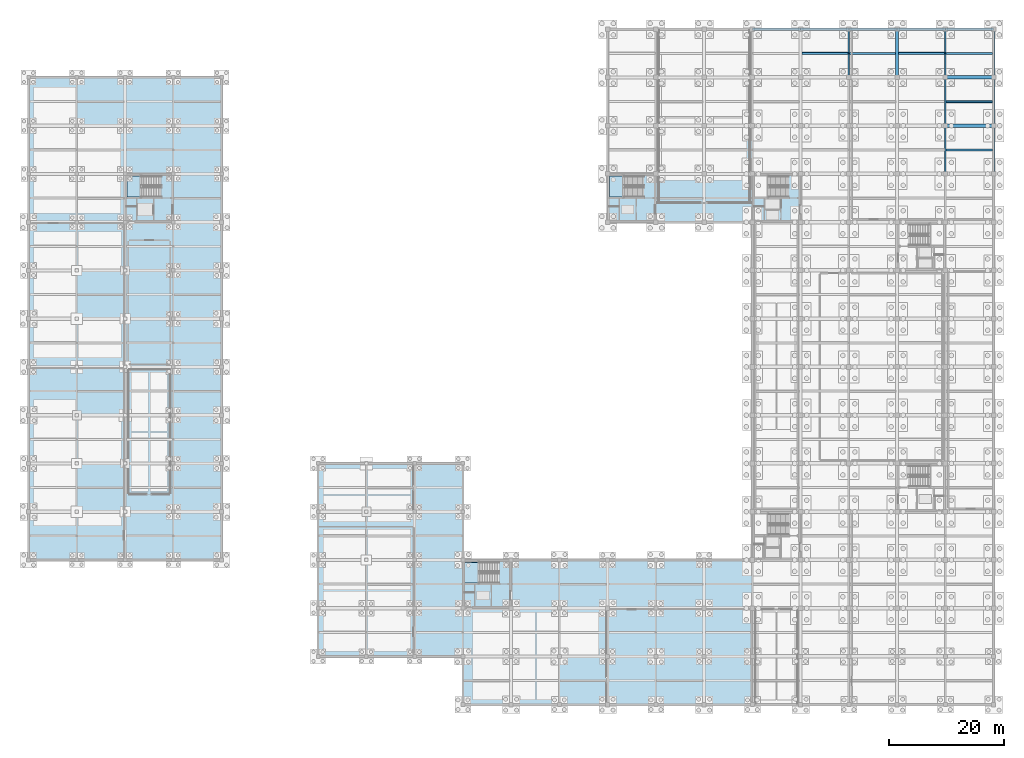
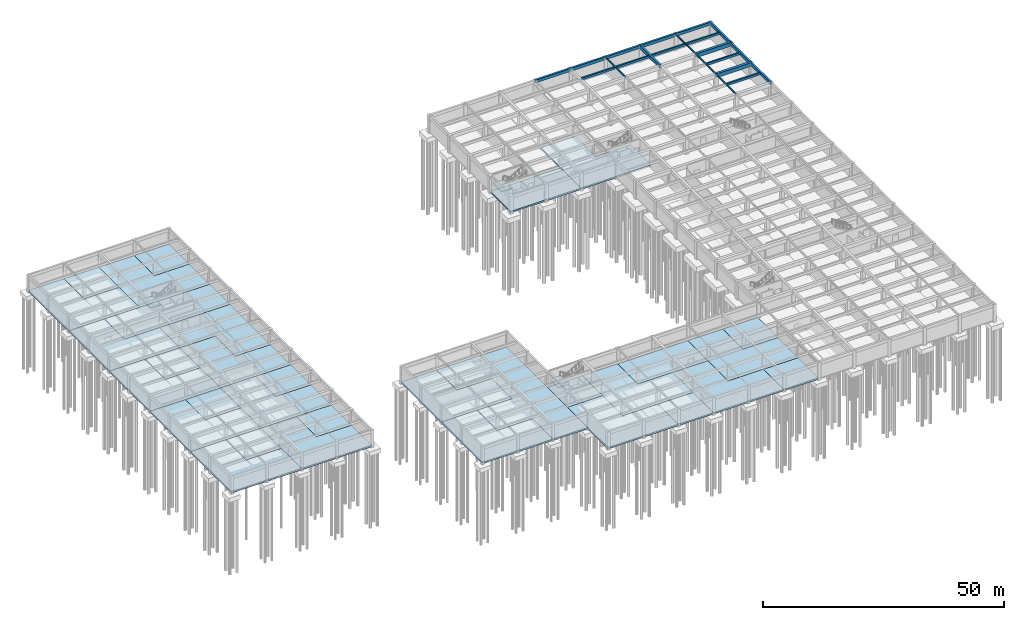
# One storey, part 14 of 33: 35 slabs, 21 beams, 3 elements without a shape of their own.
"""IFC4 building model written with IfcOpenShell, lengths in metres."""

from ifc_helpers import new_model, si_unit, direction, frame, origin, origin_2d, place, context, subcontext, project, spatial, polyline, rectangle, i_section, outline, extrude, material, layer, layer_set, material_profile, profile_set, type_object, element, aggregate, save


model = new_model("IFC4")

# Units and contexts
model_context = context("Model", 3, precision=1e-05, world=origin(), true_north=direction((0.0, 1.0)))
body_context = subcontext(model_context, "Body", "Model", "MODEL_VIEW")
ifc_project = project(units=[si_unit("LENGTHUNIT", "METRE"), si_unit("AREAUNIT", "SQUARE_METRE"), si_unit("VOLUMEUNIT", "CUBIC_METRE"), si_unit("PLANEANGLEUNIT", "RADIAN"), si_unit("MASSUNIT", "GRAM", prefix="KILO")], contexts=[model_context])

# Site, building, storey
site_placement = place(None, origin())
site = spatial("IfcSite", under=ifc_project, at=site_placement, CompositionType="ELEMENT")
building_placement = place(site_placement, origin())
building = spatial("IfcBuilding", under=site, at=building_placement, Name="Kveldsbrygga Polytechnic", CompositionType="ELEMENT")
storey_placement = place(building_placement, frame((0.0, 0.0, -4.419921875)))
storey = spatial("IfcBuildingStorey", under=building, at=storey_placement, Name="B1", CompositionType="ELEMENT", Elevation=-4.419921875)

# Beams
ifc_material_1 = material(Name="Concrete C35/45", Category="concrete")
ifc_material_profile_1 = material_profile(ifc_material_1, rectangle(XDim=0.449951171875, YDim=0.75, at=origin_2d()), Name="RC 450x750")
ifc_profile_set_1 = profile_set([ifc_material_profile_1], Name="Concrete C35/45")
beam_type_1 = type_object("IfcBeamType", Name="BM-RC-450x750", PredefinedType="BEAM", material=ifc_profile_set_1)
beam_1_placement = place(storey_placement, frame((168.0, 92.39990234375, 3.744873046875), z_axis=(0.0, 1.0, 0.0), x_axis=(-1.0, 0.0, 0.0)))
element("IfcBeam", 1, at=beam_1_placement, inside=storey, type_object=beam_type_1, Name="Primary Beam BMY-B1-20-11to12", PredefinedType="BEAM", context=body_context, shape_type="SweptSolid", body=[
    extrude(rectangle(XDim=0.449951171875, YDim=0.75, at=origin_2d()), origin(), (0.0, 0.0, 1.0), 8.400146484375),
])
beam_2_placement = place(storey_placement, frame((168.0, 100.800048828125, 3.744873046875), z_axis=(0.0, 1.0, 0.0), x_axis=(-1.0, 0.0, 0.0)))
element("IfcBeam", 2, at=beam_2_placement, inside=storey, type_object=beam_type_1, Name="Primary Beam BMY-B1-20-12to13", PredefinedType="BEAM", context=body_context, shape_type="SweptSolid", body=[
    extrude(rectangle(XDim=0.449951171875, YDim=0.75, at=origin_2d()), origin(), (0.0, 0.0, 1.0), 8.39990234375),
])
beam_3_placement = place(storey_placement, frame((168.0, 109.199951171875, 3.744873046875), z_axis=(0.0, 1.0, 0.0), x_axis=(-1.0, 0.0, 0.0)))
element("IfcBeam", 3, at=beam_3_placement, inside=storey, type_object=beam_type_1, Name="Primary Beam BMY-B1-20-13to14", PredefinedType="BEAM", context=body_context, shape_type="SweptSolid", body=[
    extrude(rectangle(XDim=0.449951171875, YDim=0.75, at=origin_2d()), origin(), (0.0, 0.0, 1.0), 8.400146484375),
])
ifc_material_profile_2 = material_profile(ifc_material_1, rectangle(XDim=0.4599609375, YDim=0.739990234375, at=origin_2d()), Name="RC 460x740")
ifc_profile_set_2 = profile_set([ifc_material_profile_2], Name="Concrete C35/45")
beam_type_2 = type_object("IfcBeamType", Name="BM-RC-460x740", PredefinedType="BEAM", material=ifc_profile_set_2)
beam_4_placement = place(storey_placement, frame((126.0, 117.60009765625, 3.75), z_axis=(1.0, 0.0, 0.0), x_axis=(0.0, 1.0, 0.0)))
element("IfcBeam", 4, at=beam_4_placement, inside=storey, type_object=beam_type_2, Name="Primary Beam BMX-B1-15to16-14", PredefinedType="BEAM", context=body_context, shape_type="SweptSolid", body=[
    extrude(rectangle(XDim=0.4599609375, YDim=0.739990234375, at=origin_2d()), origin(), (0.0, 0.0, 1.0), 8.39990234375),
])
beam_5_placement = place(storey_placement, frame((134.39990234375, 117.60009765625, 3.75), z_axis=(1.0, 0.0, 0.0), x_axis=(0.0, 1.0, 0.0)))
element("IfcBeam", 5, at=beam_5_placement, inside=storey, type_object=beam_type_2, Name="Primary Beam BMX-B1-16to17-14", PredefinedType="BEAM", context=body_context, shape_type="SweptSolid", body=[
    extrude(rectangle(XDim=0.4599609375, YDim=0.739990234375, at=origin_2d()), origin(), (0.0, 0.0, 1.0), 8.400146484375),
])
beam_6_placement = place(storey_placement, frame((142.800048828125, 117.60009765625, 3.75), z_axis=(1.0, 0.0, 0.0), x_axis=(0.0, 1.0, 0.0)))
element("IfcBeam", 6, at=beam_6_placement, inside=storey, type_object=beam_type_2, Name="Primary Beam BMX-B1-17to18-14", PredefinedType="BEAM", context=body_context, shape_type="SweptSolid", body=[
    extrude(rectangle(XDim=0.4599609375, YDim=0.739990234375, at=origin_2d()), origin(), (0.0, 0.0, 1.0), 8.39990234375),
])
beam_7_placement = place(storey_placement, frame((151.199951171875, 117.60009765625, 3.75), z_axis=(1.0, 0.0, 0.0), x_axis=(0.0, 1.0, 0.0)))
element("IfcBeam", 7, at=beam_7_placement, inside=storey, type_object=beam_type_2, Name="Primary Beam BMX-B1-18to19-14", PredefinedType="BEAM", context=body_context, shape_type="SweptSolid", body=[
    extrude(rectangle(XDim=0.4599609375, YDim=0.739990234375, at=origin_2d()), origin(), (0.0, 0.0, 1.0), 8.400146484375),
])
beam_8_placement = place(storey_placement, frame((159.60009765625, 117.60009765625, 3.75), z_axis=(1.0, 0.0, 0.0), x_axis=(0.0, 1.0, 0.0)))
element("IfcBeam", 8, at=beam_8_placement, inside=storey, type_object=beam_type_2, Name="Primary Beam BMX-B1-19to20-14", PredefinedType="BEAM", context=body_context, shape_type="SweptSolid", body=[
    extrude(rectangle(XDim=0.4599609375, YDim=0.739990234375, at=origin_2d()), origin(), (0.0, 0.0, 1.0), 8.39990234375),
])
ifc_material_profile_3 = material_profile(ifc_material_1, rectangle(XDim=0.5, YDim=0.800048828125, at=origin_2d()), Name="RC 500x800")
ifc_profile_set_3 = profile_set([ifc_material_profile_3], Name="Concrete C35/45")
beam_type_3 = type_object("IfcBeamType", Name="BM-RC-500x800", PredefinedType="BEAM", material=ifc_profile_set_3)
beam_9_placement = place(storey_placement, frame((151.199951171875, 109.199951171875, 3.719970703125), z_axis=(0.0, 1.0, 0.0), x_axis=(-1.0, 0.0, 0.0)))
element("IfcBeam", 9, at=beam_9_placement, inside=storey, type_object=beam_type_3, Name="Primary Beam BMY-B1-18-13to14", PredefinedType="BEAM", context=body_context, shape_type="SweptSolid", body=[
    extrude(rectangle(XDim=0.5, YDim=0.800048828125, at=origin_2d()), origin(), (0.0, 0.0, 1.0), 8.400146484375),
])
ifc_material_2 = material(Name="Concrete C45/55", Category="concrete")
ifc_material_profile_4 = material_profile(ifc_material_2, rectangle(XDim=0.60009765625, YDim=0.949951171875, at=origin_2d()), Name="RC 600x950")
ifc_profile_set_4 = profile_set([ifc_material_profile_4], Name="Concrete C45/55")
beam_type_4 = type_object("IfcBeamType", Name="BM-RC-600x950", PredefinedType="BEAM", material=ifc_profile_set_4)
for number, where, z_axis, x_axis, name in (
    (10, (159.60009765625, 100.800048828125, 3.64501953125), (1.0, 0.0, 0.0), (0.0, 1.0, 0.0), "Primary Beam BMX-B1-19to20-12"),
    (11, (159.60009765625, 109.199951171875, 3.64501953125), (1.0, 0.0, 0.0), (0.0, 1.0, 0.0), "Primary Beam BMX-B1-19to20-13"),
):
    element("IfcBeam", number, at=place(storey_placement, frame(where, z_axis=z_axis, x_axis=x_axis)), inside=storey, type_object=beam_type_4, Name=name, PredefinedType="BEAM", context=body_context, shape_type="SweptSolid", body=[
        extrude(rectangle(XDim=0.60009765625, YDim=0.949951171875, at=origin_2d()), origin(), (0.0, 0.0, 1.0), 8.39990234375),
    ])
ifc_material_3 = material(Name="Steel S355", Category="steel")
ifc_material_profile_5 = material_profile(ifc_material_3, i_section(OverallWidth=0.260009765625, OverallDepth=0.260009765625, WebThickness=0.010009765625, FlangeThickness=0.017578125, FilletRadius=0.02392578125, at=origin_2d()), Name="HEB 260")
ifc_profile_set_5 = profile_set([ifc_material_profile_5], Name="Steel S355")
beam_type_5 = type_object("IfcBeamType", Name="BM-STL-HEB260", PredefinedType="BEAM", material=ifc_profile_set_5)
for number, where, z_axis, x_axis, name in (
    (12, (142.800048828125, 109.199951171875, 3.989990234375), (0.0, 1.0, 0.0), (-1.0, 0.0, 0.0), "Primary Beam BMY-B1-17-13to14"),
    (13, (159.60009765625, 92.39990234375, 3.989990234375), (0.0, 1.0, 0.0), (-1.0, 0.0, 0.0), "Primary Beam BMY-B1-19-11to12"),
):
    element("IfcBeam", number, at=place(storey_placement, frame(where, z_axis=z_axis, x_axis=x_axis)), inside=storey, type_object=beam_type_5, Name=name, PredefinedType="BEAM", context=body_context, shape_type="SweptSolid", body=[
        extrude(i_section(OverallWidth=0.260009765625, OverallDepth=0.260009765625, WebThickness=0.010009765625, FlangeThickness=0.017578125, FilletRadius=0.02392578125, at=origin_2d()), origin(), (0.0, 0.0, 1.0), 8.400146484375),
    ])
beam_10_placement = place(storey_placement, frame((159.60009765625, 100.800048828125, 3.989990234375), z_axis=(0.0, 1.0, 0.0), x_axis=(-1.0, 0.0, 0.0)))
element("IfcBeam", 14, at=beam_10_placement, inside=storey, type_object=beam_type_5, Name="Primary Beam BMY-B1-19-12to13", PredefinedType="BEAM", context=body_context, shape_type="SweptSolid", body=[
    extrude(i_section(OverallWidth=0.260009765625, OverallDepth=0.260009765625, WebThickness=0.010009765625, FlangeThickness=0.017578125, FilletRadius=0.02392578125, at=origin_2d()), origin(), (0.0, 0.0, 1.0), 8.39990234375),
])
beam_11_placement = place(storey_placement, frame((159.60009765625, 109.199951171875, 3.989990234375), z_axis=(0.0, 1.0, 0.0), x_axis=(-1.0, 0.0, 0.0)))
element("IfcBeam", 15, at=beam_11_placement, inside=storey, type_object=beam_type_5, Name="Primary Beam BMY-B1-19-13to14", PredefinedType="BEAM", context=body_context, shape_type="SweptSolid", body=[
    extrude(i_section(OverallWidth=0.260009765625, OverallDepth=0.260009765625, WebThickness=0.010009765625, FlangeThickness=0.017578125, FilletRadius=0.02392578125, at=origin_2d()), origin(), (0.0, 0.0, 1.0), 8.400146484375),
])
ifc_material_profile_6 = material_profile(ifc_material_1, rectangle(XDim=0.340087890625, YDim=0.56005859375, at=origin_2d()), Name="RC 340x560")
ifc_profile_set_6 = profile_set([ifc_material_profile_6], Name="Concrete C35/45")
beam_type_6 = type_object("IfcBeamType", Name="JST-RC-340x560", PredefinedType="JOIST", material=ifc_profile_set_6)
for number, where, z_axis, x_axis, name in (
    (16, (134.64990234375, 113.39990234375, 3.83984375), (1.0, 0.0, 0.0), (0.0, 1.0, 0.0), "Secondary Joist JST-B1-16-13"),
    (17, (151.449951171875, 113.39990234375, 3.83984375), (1.0, 0.0, 0.0), (0.0, 1.0, 0.0), "Secondary Joist JST-B1-18-13"),
):
    element("IfcBeam", number, at=place(storey_placement, frame(where, z_axis=z_axis, x_axis=x_axis)), inside=storey, type_object=beam_type_6, Name=name, PredefinedType="JOIST", context=body_context, shape_type="SweptSolid", body=[
        extrude(rectangle(XDim=0.340087890625, YDim=0.56005859375, at=origin_2d()), origin(), (0.0, 0.0, 1.0), 8.02001953125),
    ])
beam_12_placement = place(storey_placement, frame((159.72998046875, 105.0, 3.83984375), z_axis=(1.0, 0.0, 0.0), x_axis=(0.0, 1.0, 0.0)))
element("IfcBeam", 18, at=beam_12_placement, inside=storey, type_object=beam_type_6, Name="Secondary Joist JST-B1-19-12", PredefinedType="JOIST", context=body_context, shape_type="SweptSolid", body=[
    extrude(rectangle(XDim=0.340087890625, YDim=0.56005859375, at=origin_2d()), origin(), (0.0, 0.0, 1.0), 8.044921875),
])
ifc_material_profile_7 = material_profile(ifc_material_1, rectangle(XDim=0.35009765625, YDim=0.550048828125, at=origin_2d()), Name="RC 350x550")
ifc_profile_set_7 = profile_set([ifc_material_profile_7], Name="Concrete C35/45")
beam_type_7 = type_object("IfcBeamType", Name="JST-RC-350x550", PredefinedType="JOIST", material=ifc_profile_set_7)
beam_13_placement = place(storey_placement, frame((142.929931640625, 113.39990234375, 3.844970703125), z_axis=(1.0, 0.0, 0.0), x_axis=(0.0, 1.0, 0.0)))
element("IfcBeam", 19, at=beam_13_placement, inside=storey, type_object=beam_type_7, Name="Secondary Joist JST-B1-17-13", PredefinedType="JOIST", context=body_context, shape_type="SweptSolid", body=[
    extrude(rectangle(XDim=0.35009765625, YDim=0.550048828125, at=origin_2d()), origin(), (0.0, 0.0, 1.0), 8.02001953125),
])
for number, where, z_axis, x_axis, name in (
    (20, (159.72998046875, 96.60009765625, 3.844970703125), (1.0, 0.0, 0.0), (0.0, 1.0, 0.0), "Secondary Joist JST-B1-19-11"),
    (21, (159.72998046875, 113.39990234375, 3.844970703125), (1.0, 0.0, 0.0), (0.0, 1.0, 0.0), "Secondary Joist JST-B1-19-13"),
):
    element("IfcBeam", number, at=place(storey_placement, frame(where, z_axis=z_axis, x_axis=x_axis)), inside=storey, type_object=beam_type_7, Name=name, PredefinedType="JOIST", context=body_context, shape_type="SweptSolid", body=[
        extrude(rectangle(XDim=0.35009765625, YDim=0.550048828125, at=origin_2d()), origin(), (0.0, 0.0, 1.0), 8.044921875),
    ])

# Slabs
ifc_layer_1 = layer(ifc_material_1, 0.39990234375)
ifc_layer_set_1 = layer_set([ifc_layer_1], Name="Concrete C35/45")
slab_type_1 = type_object("IfcSlabType", Name="SLB-BASE-400", PredefinedType="BASESLAB", material=ifc_layer_set_1)
slab_1_placement = place(storey_placement, frame((0.0, 0.0, -0.400146484375)))
element("IfcSlab", 22, at=slab_1_placement, inside=storey, type_object=slab_type_1, Name="Slab SLB-B1-V1-L01-1", PredefinedType="BASESLAB", context=body_context, shape_type="SweptSolid", body=[
    extrude(outline(polyline([(0.0, 25.199951171875), (0.0, 33.60009765625), (0.0, 42.0), (8.39990234375, 42.0), (8.39990234375, 33.60009765625), (16.800048828125, 33.60009765625), (16.800048828125, 25.199951171875), (8.39990234375, 25.199951171875), (0.0, 25.199951171875)])), origin(), (0.0, 0.0, 1.0), 0.400146484375),
])
slab_2_placement = place(storey_placement, frame((0.0, 0.0, -0.400146484375)))
element("IfcSlab", 23, at=slab_2_placement, inside=storey, type_object=slab_type_1, Name="Slab SLB-B1-V1-L02-1", PredefinedType="BASESLAB", context=body_context, shape_type="SweptSolid", body=[
    extrude(outline(polyline([(0.0, 42.0), (0.0, 50.39990234375), (0.0, 58.800048828125), (8.39990234375, 58.800048828125), (8.39990234375, 50.39990234375), (16.800048828125, 50.39990234375), (16.800048828125, 42.0), (8.39990234375, 42.0), (0.0, 42.0)])), origin(), (0.0, 0.0, 1.0), 0.400146484375),
])
slab_3_placement = place(storey_placement, frame((0.0, 0.0, -0.400146484375)))
element("IfcSlab", 24, at=slab_3_placement, inside=storey, type_object=slab_type_1, Name="Slab SLB-B1-V1-L03-1", PredefinedType="BASESLAB", context=body_context, shape_type="SweptSolid", body=[
    extrude(outline(polyline([(0.0, 58.800048828125), (0.0, 67.199951171875), (0.0, 75.60009765625), (8.39990234375, 75.60009765625), (8.39990234375, 67.199951171875), (16.800048828125, 67.199951171875), (16.800048828125, 58.800048828125), (8.39990234375, 58.800048828125), (0.0, 58.800048828125)])), origin(), (0.0, 0.0, 1.0), 0.400146484375),
])
slab_4_placement = place(storey_placement, frame((0.0, 0.0, -0.400146484375)))
element("IfcSlab", 25, at=slab_4_placement, inside=storey, type_object=slab_type_1, Name="Slab SLB-B1-V1-L04-1", PredefinedType="BASESLAB", context=body_context, shape_type="SweptSolid", body=[
    extrude(outline(polyline([(0.0, 75.60009765625), (0.0, 84.0), (0.0, 92.39990234375), (8.39990234375, 92.39990234375), (8.39990234375, 84.0), (16.800048828125, 84.0), (16.800048828125, 75.60009765625), (8.39990234375, 75.60009765625), (0.0, 75.60009765625)])), origin(), (0.0, 0.0, 1.0), 0.400146484375),
])
slab_5_placement = place(storey_placement, frame((0.0, 0.0, -0.400146484375)))
element("IfcSlab", 26, at=slab_5_placement, inside=storey, type_object=slab_type_1, Name="Slab SLB-B1-V1-L05-1", PredefinedType="BASESLAB", context=body_context, shape_type="SweptSolid", body=[
    extrude(outline(polyline([(0.0, 92.39990234375), (0.0, 100.800048828125), (0.0, 109.199951171875), (8.39990234375, 109.199951171875), (8.39990234375, 100.800048828125), (16.800048828125, 100.800048828125), (16.800048828125, 92.39990234375), (8.39990234375, 92.39990234375), (0.0, 92.39990234375)])), origin(), (0.0, 0.0, 1.0), 0.400146484375),
])
slab_6_placement = place(storey_placement, frame((0.0, 0.0, -0.400146484375)))
element("IfcSlab", 27, at=slab_6_placement, inside=storey, type_object=slab_type_1, Name="Slab SLB-B1-V1-L06-1", PredefinedType="BASESLAB", context=body_context, shape_type="SweptSolid", body=[
    extrude(outline(polyline([(16.800048828125, 25.199951171875), (16.800048828125, 33.60009765625), (16.800048828125, 42.0), (25.199951171875, 42.0), (25.199951171875, 33.60009765625), (33.60009765625, 33.60009765625), (33.60009765625, 25.199951171875), (25.199951171875, 25.199951171875), (16.800048828125, 25.199951171875)])), origin(), (0.0, 0.0, 1.0), 0.400146484375),
])
slab_7_placement = place(storey_placement, frame((0.0, 0.0, -0.400146484375)))
element("IfcSlab", 28, at=slab_7_placement, inside=storey, type_object=slab_type_1, Name="Slab SLB-B1-V1-L07-1", PredefinedType="BASESLAB", context=body_context, shape_type="SweptSolid", body=[
    extrude(outline(polyline([(16.800048828125, 42.0), (16.800048828125, 50.39990234375), (16.800048828125, 58.800048828125), (25.199951171875, 58.800048828125), (25.199951171875, 50.39990234375), (33.60009765625, 50.39990234375), (33.60009765625, 42.0), (25.199951171875, 42.0), (16.800048828125, 42.0)])), origin(), (0.0, 0.0, 1.0), 0.400146484375),
])
slab_8_placement = place(storey_placement, frame((0.0, 0.0, -0.400146484375)))
element("IfcSlab", 29, at=slab_8_placement, inside=storey, type_object=slab_type_1, Name="Slab SLB-B1-V1-L08-1", PredefinedType="BASESLAB", context=body_context, shape_type="SweptSolid", body=[
    extrude(outline(polyline([(16.800048828125, 58.800048828125), (16.800048828125, 67.199951171875), (16.800048828125, 75.60009765625), (25.199951171875, 75.60009765625), (25.199951171875, 67.199951171875), (33.60009765625, 67.199951171875), (33.60009765625, 58.800048828125), (25.199951171875, 58.800048828125), (16.800048828125, 58.800048828125)])), origin(), (0.0, 0.0, 1.0), 0.400146484375),
])
slab_9_placement = place(storey_placement, frame((0.0, 0.0, -0.400146484375)))
element("IfcSlab", 30, at=slab_9_placement, inside=storey, type_object=slab_type_1, Name="Slab SLB-B1-V1-L09-1", PredefinedType="BASESLAB", context=body_context, shape_type="SweptSolid", body=[
    extrude(outline(polyline([(16.800048828125, 92.39990234375), (16.800048828125, 100.800048828125), (16.800048828125, 109.199951171875), (25.199951171875, 109.199951171875), (25.199951171875, 100.800048828125), (33.60009765625, 100.800048828125), (33.60009765625, 92.39990234375), (25.199951171875, 92.39990234375), (16.800048828125, 92.39990234375)])), origin(), (0.0, 0.0, 1.0), 0.400146484375),
])
slab_10_placement = place(storey_placement, frame((0.0, 0.0, -0.400146484375)))
element("IfcSlab", 31, at=slab_10_placement, inside=storey, type_object=slab_type_1, Name="Slab SLB-B1-V1-Z1-1", PredefinedType="BASESLAB", context=body_context, shape_type="SweptSolid", body=[
    extrude(outline(polyline([(8.39990234375, 33.60009765625), (8.39990234375, 42.0), (16.800048828125, 42.0), (16.800048828125, 33.60009765625), (8.39990234375, 33.60009765625)])), origin(), (0.0, 0.0, 1.0), 0.400146484375),
])
slab_11_placement = place(storey_placement, frame((0.0, 0.0, -0.400146484375)))
element("IfcSlab", 32, at=slab_11_placement, inside=storey, type_object=slab_type_1, Name="Slab SLB-B1-V1-Z1-2", PredefinedType="BASESLAB", context=body_context, shape_type="SweptSolid", body=[
    extrude(outline(polyline([(25.199951171875, 33.60009765625), (25.199951171875, 42.0), (33.60009765625, 42.0), (33.60009765625, 33.60009765625), (25.199951171875, 33.60009765625)])), origin(), (0.0, 0.0, 1.0), 0.400146484375),
])
slab_12_placement = place(storey_placement, frame((0.0, 0.0, -0.400146484375)))
element("IfcSlab", 33, at=slab_12_placement, inside=storey, type_object=slab_type_1, Name="Slab SLB-B1-V1-Z4-1", PredefinedType="BASESLAB", context=body_context, shape_type="SweptSolid", body=[
    extrude(outline(polyline([(8.39990234375, 58.800048828125), (16.800048828125, 58.800048828125), (16.800048828125, 50.39990234375), (8.39990234375, 50.39990234375), (8.39990234375, 58.800048828125)])), origin(), (0.0, 0.0, 1.0), 0.400146484375),
])
slab_13_placement = place(storey_placement, frame((0.0, 0.0, -0.400146484375)))
element("IfcSlab", 34, at=slab_13_placement, inside=storey, type_object=slab_type_1, Name="Slab SLB-B1-V1-Z4-2", PredefinedType="BASESLAB", context=body_context, shape_type="SweptSolid", body=[
    extrude(outline(polyline([(33.60009765625, 58.800048828125), (33.60009765625, 50.39990234375), (25.199951171875, 50.39990234375), (25.199951171875, 58.800048828125), (33.60009765625, 58.800048828125)])), origin(), (0.0, 0.0, 1.0), 0.400146484375),
])
slab_14_placement = place(storey_placement, frame((0.0, 0.0, -0.400146484375)))
element("IfcSlab", 35, at=slab_14_placement, inside=storey, type_object=slab_type_1, Name="Slab SLB-B1-V1-Z4-3", PredefinedType="BASESLAB", context=body_context, shape_type="SweptSolid", body=[
    extrude(outline(polyline([(16.800048828125, 75.60009765625), (16.800048828125, 67.199951171875), (8.39990234375, 67.199951171875), (8.39990234375, 75.60009765625), (16.800048828125, 75.60009765625)])), origin(), (0.0, 0.0, 1.0), 0.400146484375),
])
slab_15_placement = place(storey_placement, frame((0.0, 0.0, -0.400146484375)))
element("IfcSlab", 36, at=slab_15_placement, inside=storey, type_object=slab_type_1, Name="Slab SLB-B1-V1-Z4-4", PredefinedType="BASESLAB", context=body_context, shape_type="SweptSolid", body=[
    extrude(outline(polyline([(25.199951171875, 67.199951171875), (25.199951171875, 75.60009765625), (16.800048828125, 75.60009765625), (16.800048828125, 84.0), (25.199951171875, 84.0), (33.60009765625, 84.0), (33.60009765625, 75.60009765625), (33.60009765625, 67.199951171875), (25.199951171875, 67.199951171875)])), origin(), (0.0, 0.0, 1.0), 0.400146484375),
])
slab_16_placement = place(storey_placement, frame((0.0, 0.0, -0.400146484375)))
element("IfcSlab", 37, at=slab_16_placement, inside=storey, type_object=slab_type_1, Name="Slab SLB-B1-V1-Z7-1", PredefinedType="BASESLAB", context=body_context, shape_type="SweptSolid", body=[
    extrude(outline(polyline([(8.39990234375, 92.39990234375), (16.800048828125, 92.39990234375), (25.199951171875, 92.39990234375), (33.60009765625, 92.39990234375), (33.60009765625, 84.0), (25.199951171875, 84.0), (16.800048828125, 84.0), (8.39990234375, 84.0), (8.39990234375, 92.39990234375)])), origin(), (0.0, 0.0, 1.0), 0.400146484375),
])
slab_17_placement = place(storey_placement, frame((0.0, 0.0, -0.400146484375)))
element("IfcSlab", 38, at=slab_17_placement, inside=storey, type_object=slab_type_1, Name="Slab SLB-B1-V1-Z7-2", PredefinedType="BASESLAB", context=body_context, shape_type="SweptSolid", body=[
    extrude(outline(polyline([(16.800048828125, 109.199951171875), (16.800048828125, 100.800048828125), (8.39990234375, 100.800048828125), (8.39990234375, 109.199951171875), (16.800048828125, 109.199951171875)])), origin(), (0.0, 0.0, 1.0), 0.400146484375),
])
slab_18_placement = place(storey_placement, frame((0.0, 0.0, -0.400146484375)))
element("IfcSlab", 39, at=slab_18_placement, inside=storey, type_object=slab_type_1, Name="Slab SLB-B1-V1-Z7-3", PredefinedType="BASESLAB", context=body_context, shape_type="SweptSolid", body=[
    extrude(outline(polyline([(33.60009765625, 109.199951171875), (33.60009765625, 100.800048828125), (25.199951171875, 100.800048828125), (25.199951171875, 109.199951171875), (33.60009765625, 109.199951171875)])), origin(), (0.0, 0.0, 1.0), 0.400146484375),
])
slab_19_placement = place(storey_placement, frame((0.0, 0.0, -0.400146484375)))
element("IfcSlab", 40, at=slab_19_placement, inside=storey, type_object=slab_type_1, Name="Slab SLB-B1-V3-L01-1", PredefinedType="BASESLAB", context=body_context, shape_type="SweptSolid", body=[
    extrude(outline(polyline([(75.60009765625, 0.0), (75.60009765625, 8.39990234375), (75.60009765625, 16.800048828125), (84.0, 16.800048828125), (84.0, 8.39990234375), (92.39990234375, 8.39990234375), (92.39990234375, 0.0), (84.0, 0.0), (75.60009765625, 0.0)])), origin(), (0.0, 0.0, 1.0), 0.400146484375),
])
slab_20_placement = place(storey_placement, frame((0.0, 0.0, -0.400146484375)))
element("IfcSlab", 41, at=slab_20_placement, inside=storey, type_object=slab_type_1, Name="Slab SLB-B1-V3-L02-1", PredefinedType="BASESLAB", context=body_context, shape_type="SweptSolid", body=[
    extrude(outline(polyline([(84.0, 8.39990234375), (84.0, 16.800048828125), (84.0, 25.199951171875), (92.39990234375, 25.199951171875), (92.39990234375, 16.800048828125), (100.800048828125, 16.800048828125), (100.800048828125, 8.39990234375), (92.39990234375, 8.39990234375), (84.0, 8.39990234375)])), origin(), (0.0, 0.0, 1.0), 0.400146484375),
])
slab_21_placement = place(storey_placement, frame((0.0, 0.0, -0.400146484375)))
element("IfcSlab", 42, at=slab_21_placement, inside=storey, type_object=slab_type_1, Name="Slab SLB-B1-V3-L03-1", PredefinedType="BASESLAB", context=body_context, shape_type="SweptSolid", body=[
    extrude(outline(polyline([(100.800048828125, 0.0), (100.800048828125, 8.39990234375), (100.800048828125, 16.800048828125), (109.199951171875, 16.800048828125), (109.199951171875, 8.39990234375), (117.60009765625, 8.39990234375), (117.60009765625, 0.0), (109.199951171875, 0.0), (100.800048828125, 0.0)])), origin(), (0.0, 0.0, 1.0), 0.400146484375),
])
slab_22_placement = place(storey_placement, frame((0.0, 0.0, -0.400146484375)))
element("IfcSlab", 43, at=slab_22_placement, inside=storey, type_object=slab_type_1, Name="Slab SLB-B1-V3-L04-1", PredefinedType="BASESLAB", context=body_context, shape_type="SweptSolid", body=[
    extrude(outline(polyline([(109.199951171875, 8.39990234375), (109.199951171875, 16.800048828125), (109.199951171875, 25.199951171875), (117.60009765625, 25.199951171875), (117.60009765625, 16.800048828125), (126.0, 16.800048828125), (126.0, 8.39990234375), (117.60009765625, 8.39990234375), (109.199951171875, 8.39990234375)])), origin(), (0.0, 0.0, 1.0), 0.400146484375),
])
slab_23_placement = place(storey_placement, frame((0.0, 0.0, -0.400146484375)))
element("IfcSlab", 44, at=slab_23_placement, inside=storey, type_object=slab_type_1, Name="Slab SLB-B1-V3-Z2-1", PredefinedType="BASESLAB", context=body_context, shape_type="SweptSolid", body=[
    extrude(outline(polyline([(92.39990234375, 8.39990234375), (100.800048828125, 8.39990234375), (100.800048828125, 0.0), (92.39990234375, 0.0), (92.39990234375, 8.39990234375)])), origin(), (0.0, 0.0, 1.0), 0.400146484375),
])
slab_24_placement = place(storey_placement, frame((0.0, 0.0, -0.400146484375)))
element("IfcSlab", 45, at=slab_24_placement, inside=storey, type_object=slab_type_1, Name="Slab SLB-B1-V3-Z2-2", PredefinedType="BASESLAB", context=body_context, shape_type="SweptSolid", body=[
    extrude(outline(polyline([(75.60009765625, 25.199951171875), (84.0, 25.199951171875), (84.0, 16.800048828125), (75.60009765625, 16.800048828125), (75.60009765625, 25.199951171875)])), origin(), (0.0, 0.0, 1.0), 0.400146484375),
])
slab_25_placement = place(storey_placement, frame((0.0, 0.0, -0.400146484375)))
element("IfcSlab", 46, at=slab_25_placement, inside=storey, type_object=slab_type_1, Name="Slab SLB-B1-V3-Z2-3", PredefinedType="BASESLAB", context=body_context, shape_type="SweptSolid", body=[
    extrude(outline(polyline([(92.39990234375, 25.199951171875), (100.800048828125, 25.199951171875), (109.199951171875, 25.199951171875), (109.199951171875, 16.800048828125), (100.800048828125, 16.800048828125), (92.39990234375, 16.800048828125), (92.39990234375, 25.199951171875)])), origin(), (0.0, 0.0, 1.0), 0.400146484375),
])
slab_26_placement = place(storey_placement, frame((0.0, 0.0, -0.400146484375)))
element("IfcSlab", 47, at=slab_26_placement, inside=storey, type_object=slab_type_1, Name="Slab SLB-B1-V3-Z3-1", PredefinedType="BASESLAB", context=body_context, shape_type="SweptSolid", body=[
    extrude(outline(polyline([(117.60009765625, 0.0), (117.60009765625, 8.39990234375), (126.0, 8.39990234375), (126.0, 0.0), (117.60009765625, 0.0)])), origin(), (0.0, 0.0, 1.0), 0.400146484375),
])
slab_27_placement = place(storey_placement, frame((0.0, 0.0, -0.400146484375)))
element("IfcSlab", 48, at=slab_27_placement, inside=storey, type_object=slab_type_1, Name="Slab SLB-B1-V3-Z3-2", PredefinedType="BASESLAB", context=body_context, shape_type="SweptSolid", body=[
    extrude(outline(polyline([(117.60009765625, 16.800048828125), (117.60009765625, 25.199951171875), (126.0, 25.199951171875), (126.0, 16.800048828125), (117.60009765625, 16.800048828125)])), origin(), (0.0, 0.0, 1.0), 0.400146484375),
])
slab_28_placement = place(storey_placement, frame((0.0, 0.0, -0.400146484375)))
element("IfcSlab", 49, at=slab_28_placement, inside=storey, type_object=slab_type_1, Name="Slab SLB-B1-V4-Z8-1", PredefinedType="BASESLAB", context=body_context, shape_type="SweptSolid", body=[
    extrude(outline(polyline([(100.800048828125, 84.0), (100.800048828125, 92.39990234375), (109.199951171875, 92.39990234375), (117.60009765625, 92.39990234375), (117.60009765625, 84.0), (109.199951171875, 84.0), (100.800048828125, 84.0)])), origin(), (0.0, 0.0, 1.0), 0.400146484375),
])
slab_29_placement = place(storey_placement, frame((0.0, 0.0, -0.400146484375)))
element("IfcSlab", 50, at=slab_29_placement, inside=storey, type_object=slab_type_1, Name="Slab SLB-B1-V4-Z9-1", PredefinedType="BASESLAB", context=body_context, shape_type="SweptSolid", body=[
    extrude(outline(polyline([(117.60009765625, 100.800048828125), (126.0, 100.800048828125), (126.0, 92.39990234375), (134.39990234375, 92.39990234375), (134.39990234375, 84.0), (126.0, 84.0), (117.60009765625, 84.0), (117.60009765625, 92.39990234375), (117.60009765625, 100.800048828125)])), origin(), (0.0, 0.0, 1.0), 0.400146484375),
])
slab_30_placement = place(storey_placement, frame((0.0, 0.0, -0.400146484375)))
element("IfcSlab", 51, at=slab_30_placement, inside=storey, type_object=slab_type_1, Name="Slab SLB-B1-V5-L01-1", PredefinedType="BASESLAB", context=body_context, shape_type="SweptSolid", body=[
    extrude(outline(polyline([(50.39990234375, 8.39990234375), (50.39990234375, 16.800048828125), (50.39990234375, 25.199951171875), (58.800048828125, 25.199951171875), (58.800048828125, 16.800048828125), (67.199951171875, 16.800048828125), (67.199951171875, 8.39990234375), (58.800048828125, 8.39990234375), (50.39990234375, 8.39990234375)])), origin(), (0.0, 0.0, 1.0), 0.400146484375),
])
slab_31_placement = place(storey_placement, frame((0.0, 0.0, -0.400146484375)))
element("IfcSlab", 52, at=slab_31_placement, inside=storey, type_object=slab_type_1, Name="Slab SLB-B1-V5-L02-1", PredefinedType="BASESLAB", context=body_context, shape_type="SweptSolid", body=[
    extrude(outline(polyline([(50.39990234375, 25.199951171875), (50.39990234375, 33.60009765625), (50.39990234375, 42.0), (58.800048828125, 42.0), (58.800048828125, 33.60009765625), (67.199951171875, 33.60009765625), (67.199951171875, 25.199951171875), (58.800048828125, 25.199951171875), (50.39990234375, 25.199951171875)])), origin(), (0.0, 0.0, 1.0), 0.400146484375),
])
slab_32_placement = place(storey_placement, frame((0.0, 0.0, -0.400146484375)))
element("IfcSlab", 53, at=slab_32_placement, inside=storey, type_object=slab_type_1, Name="Slab SLB-B1-V5-Z2-1", PredefinedType="BASESLAB", context=body_context, shape_type="SweptSolid", body=[
    extrude(outline(polyline([(67.199951171875, 8.39990234375), (67.199951171875, 16.800048828125), (58.800048828125, 16.800048828125), (58.800048828125, 25.199951171875), (67.199951171875, 25.199951171875), (67.199951171875, 33.60009765625), (58.800048828125, 33.60009765625), (58.800048828125, 42.0), (67.199951171875, 42.0), (75.60009765625, 42.0), (75.60009765625, 33.60009765625), (75.60009765625, 25.199951171875), (75.60009765625, 16.800048828125), (75.60009765625, 8.39990234375), (67.199951171875, 8.39990234375)])), origin(), (0.0, 0.0, 1.0), 0.400146484375),
])

# Stair, slab
stair_type = type_object("IfcStairType", Name="STR-CORE-442", PredefinedType="HALF_TURN_STAIR", material=ifc_material_1)
stair_1_placement = place(storey_placement, origin())
stair_1 = element("IfcStair", 54, at=stair_1_placement, inside=storey, type_object=stair_type, Name="B1 Core C5 Escape Stair ST-5", PredefinedType="HALF_TURN_STAIR")
ifc_layer_2 = layer(ifc_material_1, 0.199951171875)
ifc_layer_set_2 = layer_set([ifc_layer_2], Name="Concrete C35/45")
slab_type_2 = type_object("IfcSlabType", Name="SLB-LANDING-200", PredefinedType="LANDING", material=ifc_layer_set_2)
slab_33_placement = place(storey_placement, frame((0.0, 0.0, 2.010009765625)))
slab_33 = element("IfcSlab", 55, at=slab_33_placement, type_object=slab_type_2, Name="ST-5 landing 1", PredefinedType="LANDING", context=body_context, shape_type="SweptSolid", body=[
    extrude(outline(polyline([(103.669921875, 92.0), (101.10009765625, 92.0), (101.10009765625, 88.39990234375), (103.669921875, 88.39990234375), (103.669921875, 92.0)])), origin(), (0.0, 0.0, 1.0), 0.199951171875),
])
aggregate(stair_1, [slab_33])

stair_2_placement = place(storey_placement, origin())
stair_2 = element("IfcStair", 56, at=stair_2_placement, inside=storey, type_object=stair_type, Name="B1 Core C6 Escape Stair ST-6", PredefinedType="HALF_TURN_STAIR")
slab_34_placement = place(storey_placement, frame((0.0, 0.0, 2.010009765625)))
slab_34 = element("IfcSlab", 57, at=slab_34_placement, type_object=slab_type_2, Name="ST-6 landing 1", PredefinedType="LANDING", context=body_context, shape_type="SweptSolid", body=[
    extrude(outline(polyline([(78.469970703125, 24.800048828125), (75.89990234375, 24.800048828125), (75.89990234375, 21.199951171875), (78.469970703125, 21.199951171875), (78.469970703125, 24.800048828125)])), origin(), (0.0, 0.0, 1.0), 0.199951171875),
])
aggregate(stair_2, [slab_34])

stair_3_placement = place(storey_placement, origin())
stair_3 = element("IfcStair", 58, at=stair_3_placement, inside=storey, type_object=stair_type, Name="B1 Core C8 Escape Stair ST-8", PredefinedType="HALF_TURN_STAIR")
slab_35_placement = place(storey_placement, frame((0.0, 0.0, 2.010009765625)))
slab_35 = element("IfcSlab", 59, at=slab_35_placement, type_object=slab_type_2, Name="ST-8 landing 1", PredefinedType="LANDING", context=body_context, shape_type="SweptSolid", body=[
    extrude(outline(polyline([(19.669921875, 92.0), (17.10009765625, 92.0), (17.10009765625, 88.39990234375), (19.669921875, 88.39990234375), (19.669921875, 92.0)])), origin(), (0.0, 0.0, 1.0), 0.199951171875),
])
aggregate(stair_3, [slab_35])

save(model, "model.ifc")
